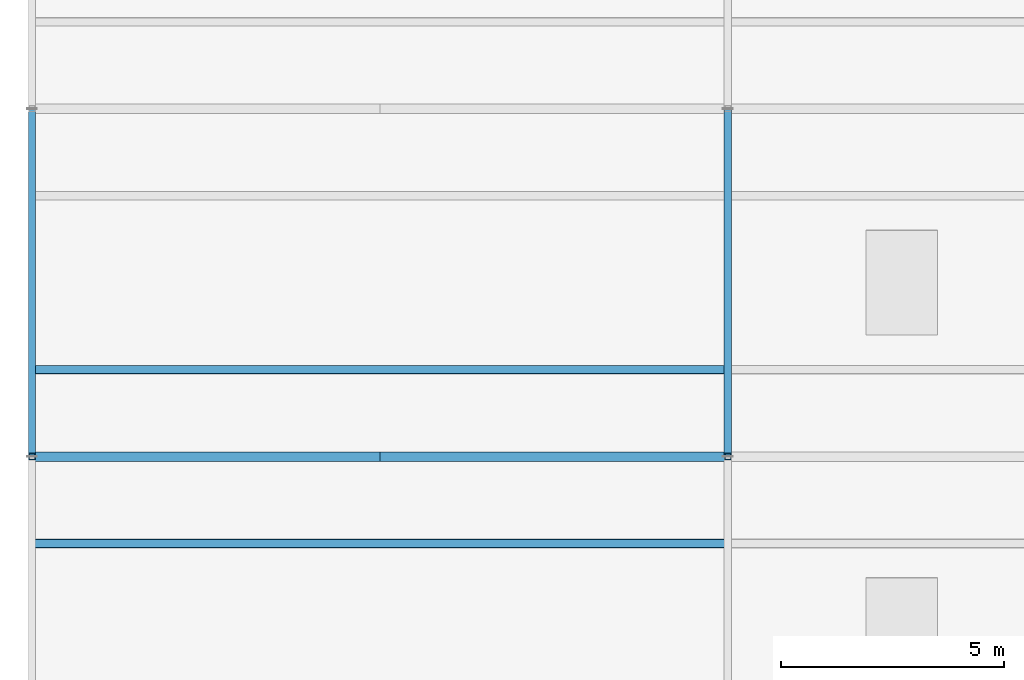
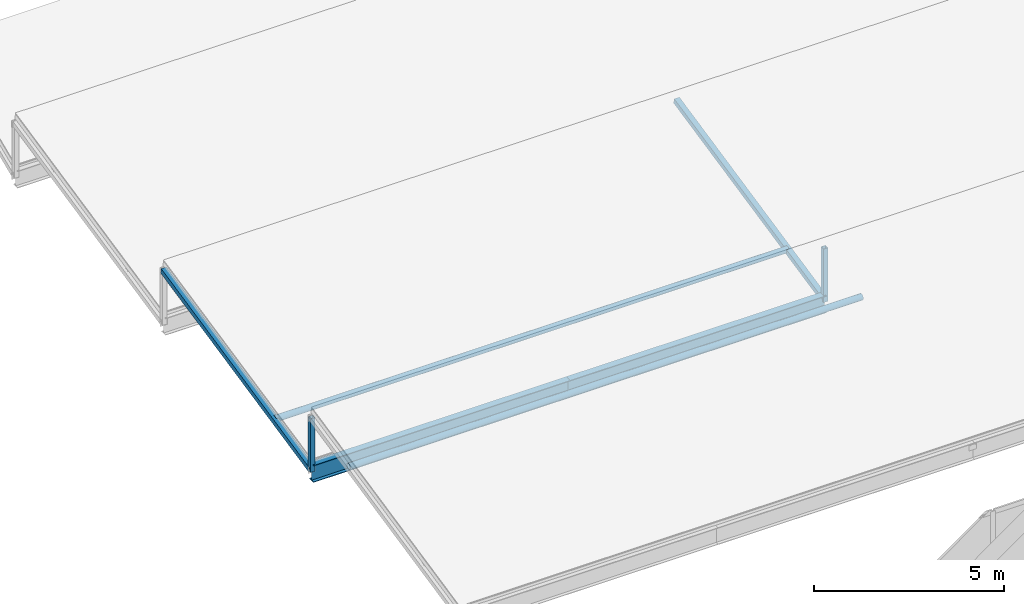
# One storey, part 16 of 89: 6 members, 2 beams.
"""IFC4 building model written with IfcOpenShell, lengths in metres."""

from ifc_helpers import new_model, si_unit, direction, frame, origin, origin_2d, place, context, subcontext, project, spatial, hollow_rectangle, hollow_circle, i_section, extrude, material, material_profile, profile_set, type_object, element, save


model = new_model("IFC4")

# Units and contexts
model_context = context("Model", 3, precision=1e-05, world=origin(), true_north=direction((0.0, 1.0)))
body_context = subcontext(model_context, "Body", "Model", "MODEL_VIEW")
ifc_project = project(units=[si_unit("LENGTHUNIT", "METRE"), si_unit("AREAUNIT", "SQUARE_METRE"), si_unit("VOLUMEUNIT", "CUBIC_METRE"), si_unit("PLANEANGLEUNIT", "RADIAN"), si_unit("MASSUNIT", "GRAM", prefix="KILO")], contexts=[model_context])

# Site, building, storey
site_placement = place(None, origin())
site = spatial("IfcSite", under=ifc_project, at=site_placement, CompositionType="ELEMENT")
building_placement = place(site_placement, origin())
building = spatial("IfcBuilding", under=site, at=building_placement, Name="Celorna Specialist Clinic", CompositionType="ELEMENT")
storey_placement = place(building_placement, frame((0.0, 0.0, 14.10009765625)))
storey = spatial("IfcBuildingStorey", under=building, at=storey_placement, Name="L03", CompositionType="ELEMENT", Elevation=14.10009765625)

# Beams
ifc_material = material(Name="Steel S355", Category="steel")
ifc_material_profile_1 = material_profile(ifc_material, i_section(OverallWidth=0.2099609375, OverallDepth=0.550048828125, WebThickness=0.010986328125, FlangeThickness=0.01708984375, at=origin_2d()), Name="IPE 550")
ifc_profile_set_1 = profile_set([ifc_material_profile_1], Name="Steel S355")
beam_type = type_object("IfcBeamType", Name="BM-07", PredefinedType="BEAM", material=ifc_profile_set_1)
for number, where, z_axis, x_axis, name in (
    (1, (0.0, 42.89990234375, -0.300048828125), (1.0, 0.0, 0.0), (0.0, 1.0, 0.0), "Sawtooth valley girder #2"),
    (2, (7.800048828125, 42.89990234375, -0.300048828125), (1.0, 0.0, 0.0), (0.0, 1.0, 0.0), "Sawtooth valley girder #2"),
):
    element("IfcBeam", number, at=place(storey_placement, frame(where, z_axis=z_axis, x_axis=x_axis)), inside=storey, type_object=beam_type, Name=name, PredefinedType="BEAM", context=body_context, shape_type="SweptSolid", body=[
        extrude(i_section(OverallWidth=0.2099609375, OverallDepth=0.550048828125, WebThickness=0.010986328125, FlangeThickness=0.01708984375, at=origin_2d()), origin(), (0.0, 0.0, 1.0), 7.800048828125),
    ])

# Members
ifc_material_profile_2 = material_profile(ifc_material, hollow_circle(Radius=0.096923828125, WallThickness=0.010009765625, at=origin_2d()), Name="CHS 193.7x10")
ifc_profile_set_2 = profile_set([ifc_material_profile_2], Name="Steel S355")
member_type_1 = type_object("IfcMemberType", Name="MB-04", PredefinedType="PURLIN", material=ifc_profile_set_2)
for number, where, z_axis, x_axis, name in (
    (3, (0.0, 40.949951171875, 1.060302734375), (1.0, 0.0, 0.0), (0.0, 1.0, 0.0), "Roof purlin WP-266-WP-267"),
    (4, (0.0, 44.85009765625, 0.225341796875), (1.0, 0.0, 0.0), (0.0, 1.0, 0.0), "Roof purlin WP-275-WP-276"),
):
    element("IfcMember", number, at=place(storey_placement, frame(where, z_axis=z_axis, x_axis=x_axis)), inside=storey, type_object=member_type_1, Name=name, PredefinedType="PURLIN", context=body_context, shape_type="SweptSolid", body=[
        extrude(hollow_circle(Radius=0.096923828125, WallThickness=0.010009765625, at=origin_2d()), origin(), (0.0, 0.0, 1.0), 15.60009765625),
    ])
ifc_material_profile_3 = material_profile(ifc_material, hollow_rectangle(XDim=0.159912109375, YDim=0.159912109375, WallThickness=0.010009765625, at=origin_2d()), Name="SHS 160x160x10")
ifc_profile_set_3 = profile_set([ifc_material_profile_3], Name="Steel S355")
member_type_2 = type_object("IfcMemberType", Name="MB-09", PredefinedType="CHORD", material=ifc_profile_set_3)
for number, where, z_axis, x_axis, name in (
    (5, (0.0, 42.89990234375, -0.2021484375), (0.0, 0.977835098472, 0.209376503448), (-1.0, 0.0, 0.0), "Pitched roof rafter chord WP-269-WP-270"),
    (6, (15.60009765625, 42.89990234375, -0.2021484375), (0.0, 0.977835098472, 0.209376503448), (-1.0, 0.0, 0.0), "Pitched roof rafter chord WP-271-WP-272"),
):
    element("IfcMember", number, at=place(storey_placement, frame(where, z_axis=z_axis, x_axis=x_axis)), inside=storey, type_object=member_type_2, Name=name, PredefinedType="CHORD", context=body_context, shape_type="SweptSolid", body=[
        extrude(hollow_rectangle(XDim=0.159912109375, YDim=0.159912109375, WallThickness=0.010009765625, at=origin_2d()), origin(), (0.0, 0.0, 1.0), 7.976806640625),
    ])
ifc_material_profile_4 = material_profile(ifc_material, hollow_rectangle(XDim=0.139892578125, YDim=0.139892578125, WallThickness=0.008056640625, at=origin_2d()), Name="SHS 140x140x8")
ifc_profile_set_4 = profile_set([ifc_material_profile_4], Name="Steel S355")
member_type_3 = type_object("IfcMemberType", Name="MB-10", PredefinedType="CHORD", material=ifc_profile_set_4)
for number, where, z_axis, x_axis, name in (
    (7, (0.0, 42.89990234375, -0.25), (0.0, 0.0, 1.0), (1.0, 0.0, 0.0), "Roof ridge/eave support post ROOF-V2-SAW-1"),
    (8, (15.60009765625, 42.89990234375, -0.25), (0.0, 0.0, 1.0), (1.0, 0.0, 0.0), "Roof ridge/eave support post ROOF-V2-SAW-1"),
):
    element("IfcMember", number, at=place(storey_placement, frame(where, z_axis=z_axis, x_axis=x_axis)), inside=storey, type_object=member_type_3, Name=name, PredefinedType="CHORD", context=body_context, shape_type="SweptSolid", body=[
        extrude(hollow_rectangle(XDim=0.139892578125, YDim=0.139892578125, WallThickness=0.008056640625, at=origin_2d()), origin(), (0.0, 0.0, 1.0), 1.718017578125),
    ])

save(model, "model.ifc")
